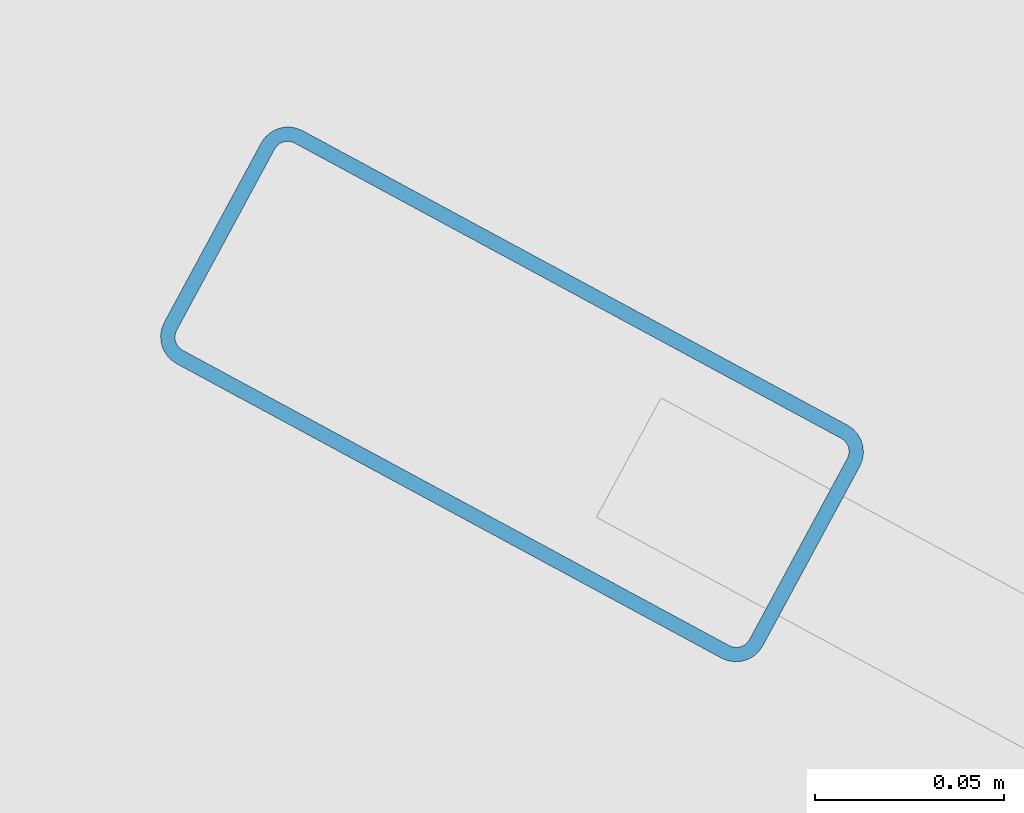
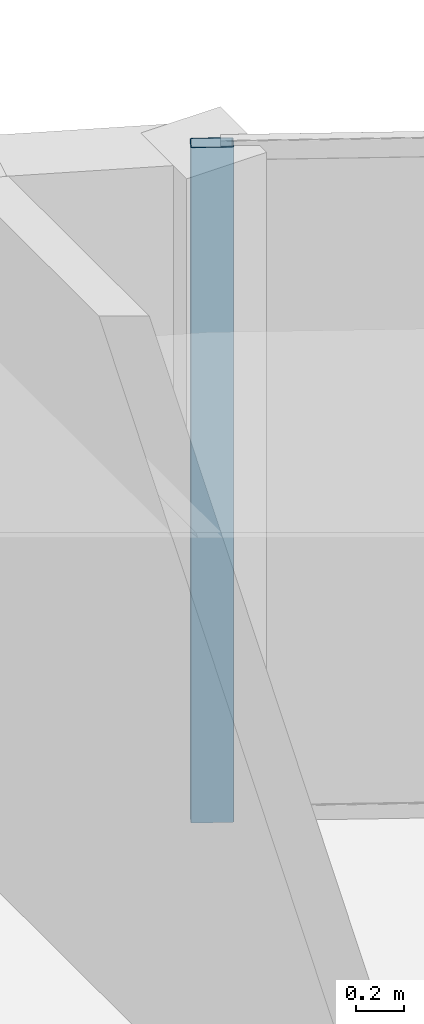
# One storey, part 7 of 13: 1 member, 1 element without a shape of its own.
"""IFC4 building model written with IfcOpenShell, lengths in metres."""

import ifcopenshell
import ifcopenshell.guid

model = None  # the IFC model being written
_history = None  # IfcOwnerHistory: only IFC2X3 demands one
_inside = {}  # id of a spatial element -> (the spatial element, [elements in it])
_under = {}  # id of a project, library or spatial element -> (it, [spatial elements below it])
_declared = {}  # id of a project -> (the project, [libraries it declares])
_typed = {}  # id of a type object -> (the type object, [elements of that type])
_made_of = {}  # id of a material, layer set ... -> (it, [elements and type objects made of it])


def new_model(schema):
    """Start an empty IFC model of exactly this schema.

    Asked for "IFC4X3", IfcOpenShell would pick the latest addendum, in which some entities
    have other attributes; the version numbers below select the first issue.
    IFC2X3 requires an IfcOwnerHistory on every rooted entity: one is made here for all.
    """
    global model, _history
    if schema == "IFC4X3":
        model = ifcopenshell.file(schema_version=(4, 3, 0, 0))
    else:
        model = ifcopenshell.file(schema=schema)
    _inside.clear()
    _under.clear()
    _declared.clear()
    _typed.clear()
    _made_of.clear()
    _history = None
    if model.schema == "IFC2X3":
        org = make("IfcOrganization", Name="unknown")
        user = make(
            "IfcPersonAndOrganization",
            ThePerson=make("IfcPerson", FamilyName="unknown"),
            TheOrganization=org,
        )
        app = make(
            "IfcApplication",
            ApplicationDeveloper=org,
            Version="unknown",
            ApplicationFullName="unknown",
            ApplicationIdentifier="unknown",
        )
        _history = make(
            "IfcOwnerHistory",
            OwningUser=user,
            OwningApplication=app,
            ChangeAction="ADDED",
            CreationDate=0,
        )
    return model


def make(cls, **values):
    """One entity of the class cls with the attributes given. An attribute that is None is left unset."""
    return model.create_entity(
        cls, **{name: value for name, value in values.items() if value is not None}
    )


def rooted(cls, **values):
    """An entity with a GlobalId (a new one), such as an element, a storey or a relation."""
    return make(cls, GlobalId=ifcopenshell.guid.new(), OwnerHistory=_history, **values)


def si_unit(unit_type, name, prefix=None):
    """IfcSIUnit, for example si_unit("LENGTHUNIT", "METRE", prefix="MILLI")."""
    return make("IfcSIUnit", UnitType=unit_type, Prefix=prefix, Name=name)


def assignment(units):
    """IfcUnitAssignment: the units of a project."""
    return None if units is None else make("IfcUnitAssignment", Units=units)


def point(xyz):
    """IfcCartesianPoint."""
    return None if xyz is None else make("IfcCartesianPoint", Coordinates=xyz)


def direction(xyz):
    """IfcDirection."""
    return None if xyz is None else make("IfcDirection", DirectionRatios=xyz)


def frame(location, z_axis=None, x_axis=None):
    """IfcAxis2Placement3D, a coordinate frame: its origin and axes. An axis left out is left unset."""
    return make(
        "IfcAxis2Placement3D",
        Location=point(location),
        Axis=direction(z_axis),
        RefDirection=direction(x_axis),
    )


def frame_2d(location, x_axis=None):
    """IfcAxis2Placement2D, a coordinate frame in the plane: its origin and x axis."""
    return make(
        "IfcAxis2Placement2D", Location=point(location), RefDirection=direction(x_axis)
    )


def origin():
    """The frame at (0, 0, 0) with its axes left unset."""
    return frame((0.0, 0.0, 0.0))


def origin_2d():
    """The frame at (0, 0) in the plane with its x axis left unset."""
    return frame_2d((0.0, 0.0))


def place(relative_to, where):
    """IfcLocalPlacement: puts the frame where relative to a parent placement (None: the world)."""
    return make(
        "IfcLocalPlacement", PlacementRelTo=relative_to, RelativePlacement=where
    )


def context(
    kind, dimensions, precision=None, world=None, true_north=None, identifier=None
):
    """IfcGeometricRepresentationContext, for example the 3D "Model" context."""
    return make(
        "IfcGeometricRepresentationContext",
        ContextIdentifier=identifier,
        ContextType=kind,
        CoordinateSpaceDimension=dimensions,
        Precision=precision,
        WorldCoordinateSystem=world,
        TrueNorth=true_north,
    )


def subcontext(parent, identifier, kind, view, scale=None):
    """IfcGeometricRepresentationSubContext, for example "Body" below "Model"."""
    return make(
        "IfcGeometricRepresentationSubContext",
        ContextIdentifier=identifier,
        ContextType=kind,
        ParentContext=parent,
        TargetScale=scale,
        TargetView=view,
    )


def project(units=None, contexts=None):
    """IfcProject with its units and contexts."""
    return rooted(
        "IfcProject",
        Name="project",
        RepresentationContexts=contexts,
        UnitsInContext=assignment(units),
    )


def spatial(cls, under=None, at=None, **own):
    """A site, building, storey or space (cls), placed at a placement, below another one or the project."""
    s = rooted(cls, ObjectPlacement=at, **own)
    if under is not None:
        _under.setdefault(under.id(), (under, []))[1].append(s)
    return s


def profile(cls, at=None, kind="AREA", **sizes):
    """A parametric profile (cls). Its sizes go by their IFC names, for example OverallWidth=200.0."""
    return make(cls, ProfileType=kind, Position=at, **sizes)


def hollow_rectangle(**sizes):
    """IfcRectangleHollowProfileDef."""
    return profile("IfcRectangleHollowProfileDef", **sizes)


def extrude(swept, where, along, depth):
    """IfcExtrudedAreaSolid: the profile swept, set in the frame where, extruded along a direction by depth."""
    return make(
        "IfcExtrudedAreaSolid",
        SweptArea=swept,
        Position=where,
        ExtrudedDirection=direction(along),
        Depth=depth,
    )


def shape(context_of_items, identifier, shape_type, items):
    """IfcShapeRepresentation: the items that make up one representation, for example the "Body"."""
    return make(
        "IfcShapeRepresentation",
        ContextOfItems=context_of_items,
        RepresentationIdentifier=identifier,
        RepresentationType=shape_type,
        Items=items,
    )


def material(Name=None, Category=None):
    """IfcMaterial."""
    return make("IfcMaterial", Name=Name, Category=Category)


def layer(
    of_material, thickness, ventilated=None, Name=None, Category=None, Priority=None
):
    """IfcMaterialLayer: one layer of a wall or slab, of a material (None: an air gap)."""
    return make(
        "IfcMaterialLayer",
        Material=of_material,
        LayerThickness=thickness,
        IsVentilated=ventilated,
        Name=Name,
        Category=Category,
        Priority=Priority,
    )


def layer_set(layers, Name=None):
    """IfcMaterialLayerSet."""
    return make("IfcMaterialLayerSet", MaterialLayers=layers, LayerSetName=Name)


def material_profile(
    of_material, cross_section, Name=None, Category=None, Priority=None
):
    """IfcMaterialProfile: a cross section and its material."""
    return make(
        "IfcMaterialProfile",
        Name=Name,
        Material=of_material,
        Profile=cross_section,
        Priority=Priority,
        Category=Category,
    )


def profile_set(profiles, Name=None, composite=None):
    """IfcMaterialProfileSet."""
    return make(
        "IfcMaterialProfileSet",
        Name=Name,
        MaterialProfiles=profiles,
        CompositeProfile=composite,
    )


def made_of(thing, what):
    """Note that an element or type object is made of a material, layer set ...; save() writes the relation."""
    if what is not None:
        _made_of.setdefault(what.id(), (what, []))[1].append(thing)
    return thing


def type_object(cls, material=None, **own):
    """A type object (cls), such as IfcWallType, which elements share."""
    return made_of(rooted(cls, **own), material)


def element(
    cls,
    number,
    at=None,
    inside=None,
    cuts=None,
    type_object=None,
    material=None,
    context=None,
    identifier="Body",
    shape_type=None,
    held_by="IfcProductDefinitionShape",
    body=None,
    shapes=None,
    **own,
):
    """One element of the class cls, such as IfcWall. Its Tag is "e" and its number.

    at: its placement. inside: the storey or other place that contains it. cuts: it is an
    opening in that element (IfcRelVoidsElement). A single representation is given by context,
    identifier, shape_type and body (its items); several are given by shapes. held_by: the class
    of the entity that holds the representations. save() writes the other relations.
    """
    e = rooted(cls, Tag="e%d" % number, ObjectPlacement=at, **own)
    if body is not None:
        shapes = [shape(context, identifier, shape_type, body)]
    if shapes is not None:
        e.Representation = make(held_by, Representations=shapes)
    if inside is not None:
        _inside.setdefault(inside.id(), (inside, []))[1].append(e)
    if cuts is not None:
        rooted(
            "IfcRelVoidsElement", RelatingBuildingElement=cuts, RelatedOpeningElement=e
        )
    if type_object is not None:
        _typed.setdefault(type_object.id(), (type_object, []))[1].append(e)
    return made_of(e, material)


def aggregate(whole, parts):
    """IfcRelAggregates: a whole, such as a stair, and the parts it consists of."""
    return rooted("IfcRelAggregates", RelatingObject=whole, RelatedObjects=parts)


def save(model, path):
    """Write the relations noted so far, then the file.

    IfcRelAggregates (storeys below a building ...), IfcRelContainedInSpatialStructure (elements
    in a storey), IfcRelDefinesByType, IfcRelAssociatesMaterial and IfcRelDeclares: one each for
    every whole, place, type object, material and project.
    """
    for whole, parts in _under.values():
        aggregate(whole, parts)
    for where, things in _inside.values():
        rooted(
            "IfcRelContainedInSpatialStructure",
            RelatedElements=things,
            RelatingStructure=where,
        )
    for kind, things in _typed.values():
        rooted("IfcRelDefinesByType", RelatedObjects=things, RelatingType=kind)
    for what, things in _made_of.values():
        rooted("IfcRelAssociatesMaterial", RelatedObjects=things, RelatingMaterial=what)
    for by, libraries in _declared.values():
        rooted("IfcRelDeclares", RelatingContext=by, RelatedDefinitions=libraries)
    model.write(path)


model = new_model("IFC4")

# Units and contexts
model_context = context("Model", 3, precision=1e-05, world=origin(), true_north=direction((0.0, 1.0)))
body_context = subcontext(model_context, "Body", "Model", "MODEL_VIEW")
ifc_project = project(units=[si_unit("LENGTHUNIT", "METRE"), si_unit("AREAUNIT", "SQUARE_METRE"), si_unit("VOLUMEUNIT", "CUBIC_METRE"), si_unit("PLANEANGLEUNIT", "RADIAN"), si_unit("MASSUNIT", "GRAM", prefix="KILO")], contexts=[model_context])

# Site, building, storey
site_placement = place(None, origin())
site = spatial("IfcSite", under=ifc_project, at=site_placement, CompositionType="ELEMENT")
building_placement = place(site_placement, origin())
building = spatial("IfcBuilding", under=site, at=building_placement, Name="An Khanh Terracotta Commons", CompositionType="ELEMENT")
storey_placement = place(building_placement, frame((0.0, 0.0, 237.300048828125)))
storey = spatial("IfcBuildingStorey", under=building, at=storey_placement, Name="L62", CompositionType="ELEMENT", Elevation=237.300048828125)

# Curtain wall, member
ifc_material = material(Name="Anodised Aluminium 6063-T6", Category="aluminium")
ifc_layer = layer(ifc_material, 0.2099609375, Name="Anodised Aluminium 6063-T6")
ifc_layer_set = layer_set([ifc_layer], Name="Anodised Aluminium 6063-T6")
curtain_wall_type = type_object("IfcCurtainWallType", Name="CW-SYS-03", PredefinedType="USERDEFINED", material=ifc_layer_set)
curtain_wall_placement = place(storey_placement, origin())
curtain_wall = element("IfcCurtainWall", 1, at=curtain_wall_placement, inside=storey, type_object=curtain_wall_type, Name="L62 CW-03 Unitised Curtain Wall CW-L62-16", ObjectType="UNITISED CURTAIN WALL", PredefinedType="USERDEFINED")
ifc_material_profile = material_profile(ifc_material, hollow_rectangle(XDim=0.070068359375, YDim=0.179931640625, WallThickness=0.00390625, InnerFilletRadius=0.00390625, OuterFilletRadius=0.008056640625, at=origin_2d()), Name="RHS180x70x4")
ifc_profile_set = profile_set([ifc_material_profile], Name="Anodised Aluminium 6063-T6")
member_type = type_object("IfcMemberType", Name="CWM-RHS180x70x4", PredefinedType="MULLION", material=ifc_profile_set)
member_placement = place(storey_placement, frame((57.3876953125, 39.058349609375, 0.0), z_axis=(0.0, 0.0, 1.0), x_axis=(-0.47538088298, -0.879780095306, 0.0)))
member = element("IfcMember", 2, at=member_placement, type_object=member_type, Name="CW-03 mullion 5", PredefinedType="MULLION", context=body_context, shape_type="SweptSolid", body=[
    extrude(hollow_rectangle(XDim=0.070068359375, YDim=0.179931640625, WallThickness=0.00390625, InnerFilletRadius=0.00390625, OuterFilletRadius=0.008056640625, at=origin_2d()), origin(), (0.0, 0.0, 1.0), 3.39990234375),
])
aggregate(curtain_wall, [member])

save(model, "model.ifc")
